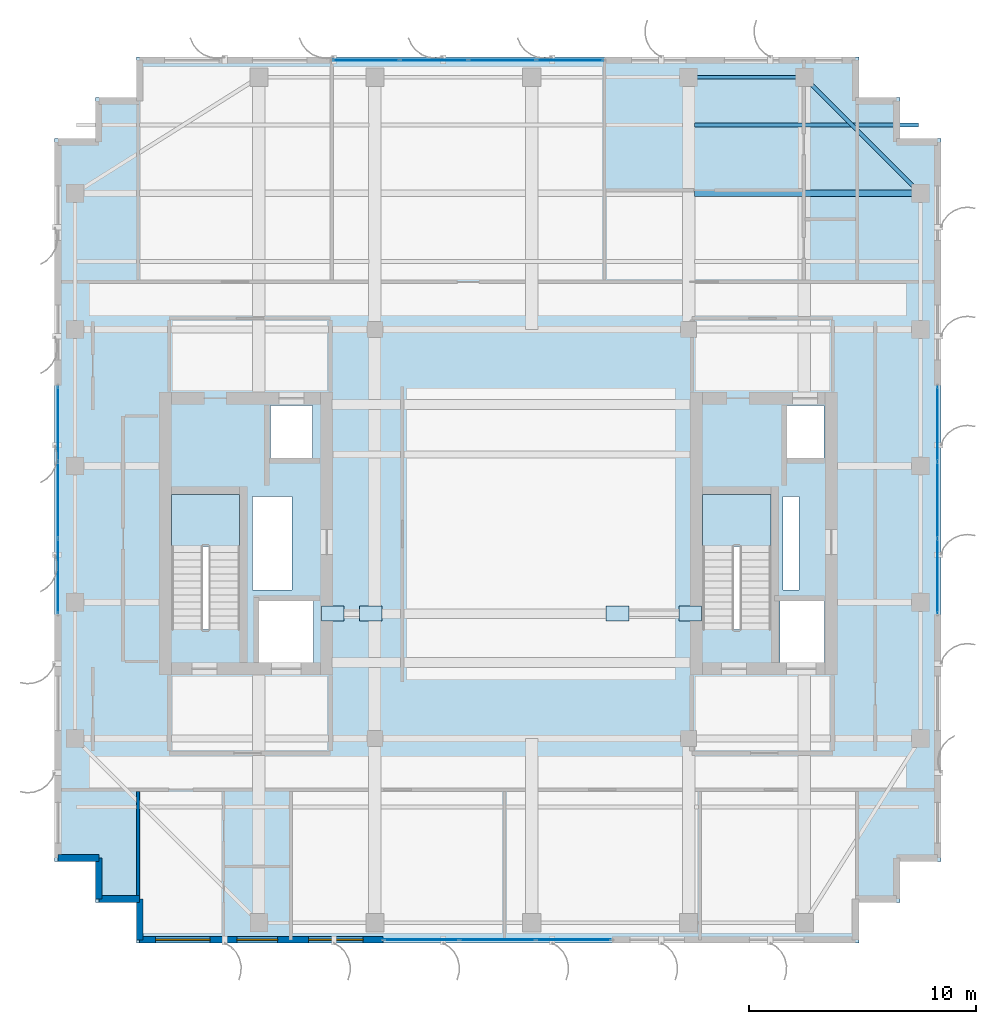
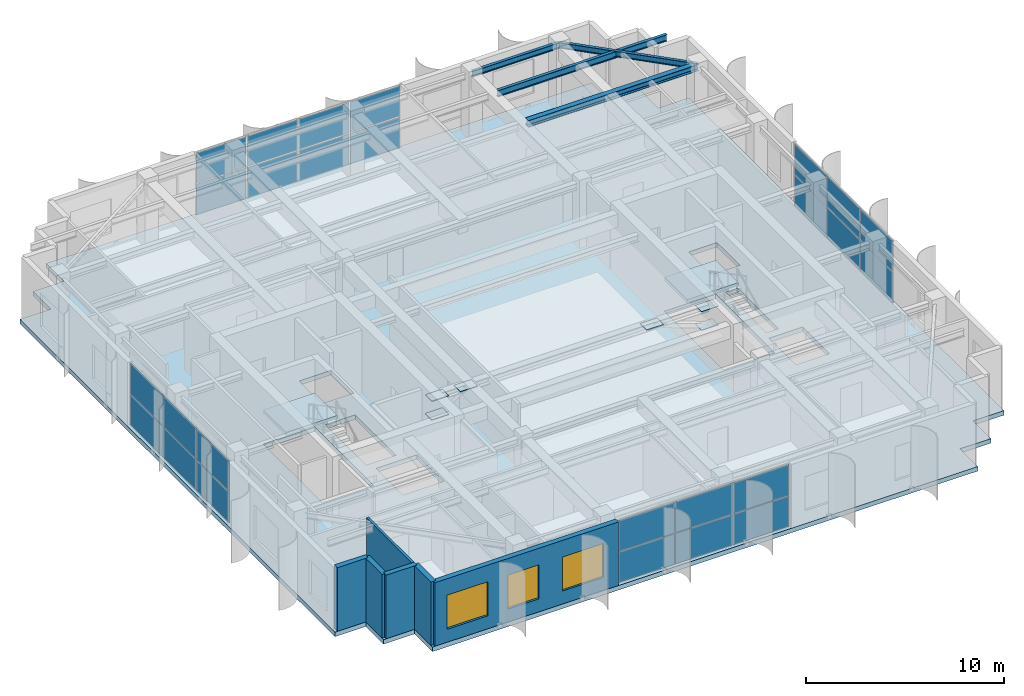
# One storey, part 19 of 26: 32 plates, 6 walls, 4 beams, 3 slabs, 3 windows, 3 openings, 6 elements without a shape of their own.
"""IFC4 building model written with IfcOpenShell, lengths in metres."""

from ifc_helpers import new_model, si_unit, direction, frame, frame_2d, origin, origin_2d, place, context, subcontext, project, spatial, polyline, rectangle, i_section, outline, extrude, source, transform, mapped, material, layer, layer_set, material_profile, profile_set, type_object, element, fill, aggregate, save


model = new_model("IFC4")

# Units and contexts
model_context = context("Model", 3, precision=1e-05, world=origin(), true_north=direction((0.0, 1.0)))
body_context = subcontext(model_context, "Body", "Model", "MODEL_VIEW")
ifc_project = project(units=[si_unit("LENGTHUNIT", "METRE"), si_unit("AREAUNIT", "SQUARE_METRE"), si_unit("VOLUMEUNIT", "CUBIC_METRE"), si_unit("PLANEANGLEUNIT", "RADIAN"), si_unit("MASSUNIT", "GRAM", prefix="KILO")], contexts=[model_context])

# Site, building, storey
site_placement = place(None, origin())
site = spatial("IfcSite", under=ifc_project, at=site_placement, CompositionType="ELEMENT")
building_placement = place(site_placement, origin())
building = spatial("IfcBuilding", under=site, at=building_placement, Name="Khoralis Quay Care Tower", CompositionType="ELEMENT")
storey_placement = place(building_placement, frame((0.0, 0.0, 289.5)))
storey = spatial("IfcBuildingStorey", under=building, at=storey_placement, Name="L76", CompositionType="ELEMENT", Elevation=289.5)

# Beams
ifc_material_1 = material(Name="Steel S355", Category="steel")
ifc_material_profile_1 = material_profile(ifc_material_1, i_section(OverallWidth=0.169921875, OverallDepth=0.360107421875, WebThickness=0.008056640625, FlangeThickness=0.0126953125, FilletRadius=0.01806640625, at=origin_2d()), Name="Steel S355")
ifc_profile_set_1 = profile_set([ifc_material_profile_1], Name="Steel S355")
beam_type_1 = type_object("IfcBeamType", Name="BM-IPE360", PredefinedType="SPANDREL", material=ifc_profile_set_1)
shared_shape_1 = source(origin(), body_context, "Body", "SweptSolid", [
    extrude(i_section(OverallWidth=0.169921875, OverallDepth=0.360107421875, WebThickness=0.008056640625, FlangeThickness=0.0126953125, FilletRadius=0.01806640625, at=origin_2d()), origin(), (0.0, 0.0, 1.0), 5.10009765625),
])
beam_1_placement = place(storey_placement, frame((30.89990234375, 41.10009765625, 3.739990234375), z_axis=(1.0, 0.0, 0.0), x_axis=(0.0, 1.0, 0.0)))
element("IfcBeam", 1, at=beam_1_placement, inside=storey, type_object=beam_type_1, Name="BM-TSP-L76-08", PredefinedType="SPANDREL", context=body_context, shape_type="MappedRepresentation", body=[
    mapped(shared_shape_1, transform((0.0, 0.0, 0.0), scale=1.0)),
])
shared_shape_2 = source(origin(), body_context, "Body", "SweptSolid", [
    extrude(i_section(OverallWidth=0.169921875, OverallDepth=0.360107421875, WebThickness=0.008056640625, FlangeThickness=0.0126953125, FilletRadius=0.01806640625, at=origin_2d()), origin(), (0.0, 0.0, 1.0), 7.212646484375),
])
beam_2_placement = place(storey_placement, frame((36.0, 41.10009765625, 3.739990234375), z_axis=(0.707106781187, -0.707106781187, 0.0), x_axis=(0.707106781187, 0.707106781187, 0.0)))
element("IfcBeam", 2, at=beam_2_placement, inside=storey, type_object=beam_type_1, Name="BM-TCR-L76-20", PredefinedType="SPANDREL", context=body_context, shape_type="MappedRepresentation", body=[
    mapped(shared_shape_2, transform((0.0, 0.0, 0.0), scale=1.0)),
])
ifc_material_profile_2 = material_profile(ifc_material_1, i_section(OverallWidth=0.300048828125, OverallDepth=0.39990234375, WebThickness=0.013427734375, FlangeThickness=0.02392578125, FilletRadius=0.027099609375, at=origin_2d()), Name="Steel S355")
ifc_profile_set_2 = profile_set([ifc_material_profile_2], Name="Steel S355")
beam_type_2 = type_object("IfcBeamType", Name="BM-HEB400", PredefinedType="BEAM", material=ifc_profile_set_2)
shared_shape_3 = source(origin(), body_context, "Body", "SweptSolid", [
    extrude(i_section(OverallWidth=0.300048828125, OverallDepth=0.39990234375, WebThickness=0.013427734375, FlangeThickness=0.02392578125, FilletRadius=0.027099609375, at=origin_2d()), origin(), (0.0, 0.0, 1.0), 9.93701171875),
])
beam_3_placement = place(storey_placement, frame((31.1630859375, 36.0, 3.719970703125), z_axis=(1.0, 0.0, 0.0), x_axis=(0.0, 1.0, 0.0)))
element("IfcBeam", 3, at=beam_3_placement, inside=storey, type_object=beam_type_2, Name="BM-TGXE-L76-360", PredefinedType="BEAM", context=body_context, shape_type="MappedRepresentation", body=[
    mapped(shared_shape_3, transform((0.0, 0.0, 0.0), scale=1.0)),
])
ifc_material_profile_3 = material_profile(ifc_material_1, i_section(OverallWidth=0.177978515625, OverallDepth=0.406982421875, WebThickness=0.0078125, FlangeThickness=0.0126953125, FilletRadius=0.012939453125, at=origin_2d()), Name="Steel S355")
ifc_profile_set_3 = profile_set([ifc_material_profile_3], Name="Steel S355")
beam_type_3 = type_object("IfcBeamType", Name="BM-W410X60", PredefinedType="JOIST", material=ifc_profile_set_3)
shared_shape_4 = source(origin(), body_context, "Body", "SweptSolid", [
    extrude(i_section(OverallWidth=0.177978515625, OverallDepth=0.406982421875, WebThickness=0.0078125, FlangeThickness=0.0126953125, FilletRadius=0.012939453125, at=origin_2d()), origin(), (0.0, 0.0, 1.0), 9.865966796875),
])
beam_4_placement = place(storey_placement, frame((31.1630859375, 39.0, 3.716552734375), z_axis=(1.0, 0.0, 0.0), x_axis=(0.0, 1.0, 0.0)))
element("IfcBeam", 4, at=beam_4_placement, inside=storey, type_object=beam_type_3, Name="BM-TJS-L76-28", PredefinedType="JOIST", context=body_context, shape_type="MappedRepresentation", body=[
    mapped(shared_shape_4, transform((0.0, 0.0, 0.0), scale=1.0)),
])

# Stair, slab
ifc_material_2 = material(Name="Precast concrete C45/55", Category="concrete")
stair_type = type_object("IfcStairType", Name="ST-TWR-DOGLEG-1400", PredefinedType="HALF_TURN_STAIR", material=ifc_material_2)
stair_1_placement = place(storey_placement, origin())
stair_1 = element("IfcStair", 5, at=stair_1_placement, inside=storey, type_object=stair_type, Name="L76 West Core Exit Stair ST-T1", PredefinedType="HALF_TURN_STAIR")
ifc_layer_1 = layer(ifc_material_2, 0.199951171875)
ifc_layer_set_1 = layer_set([ifc_layer_1], Name="Precast concrete C45/55")
slab_type_1 = type_object("IfcSlabType", Name="SLB-LANDING-200", PredefinedType="LANDING", material=ifc_layer_set_1)
slab_1_placement = place(storey_placement, frame((0.0, 0.0, 1.89990234375)))
slab_1 = element("IfcSlab", 6, at=slab_1_placement, type_object=slab_type_1, Name="ST-T1 landing 1", PredefinedType="LANDING", context=body_context, shape_type="SweptSolid", body=[
    extrude(outline(polyline([(11.14990234375, 20.4599609375), (11.14990234375, 22.75), (8.14990234375, 22.75), (8.14990234375, 20.4599609375), (11.14990234375, 20.4599609375)])), origin(), (0.0, 0.0, 1.0), 0.2001953125),
])
aggregate(stair_1, [slab_1])

stair_2_placement = place(storey_placement, origin())
stair_2 = element("IfcStair", 7, at=stair_2_placement, inside=storey, type_object=stair_type, Name="L76 East Core Exit Stair ST-T2", PredefinedType="HALF_TURN_STAIR")
slab_2_placement = place(storey_placement, frame((0.0, 0.0, 1.89990234375)))
slab_2 = element("IfcSlab", 8, at=slab_2_placement, type_object=slab_type_1, Name="ST-T2 landing 1", PredefinedType="LANDING", context=body_context, shape_type="SweptSolid", body=[
    extrude(outline(polyline([(34.52001953125, 20.4599609375), (34.52001953125, 22.75), (31.52001953125, 22.75), (31.52001953125, 20.4599609375), (34.52001953125, 20.4599609375)])), origin(), (0.0, 0.0, 1.0), 0.2001953125),
])
aggregate(stair_2, [slab_2])

# Slab
ifc_material_3 = material(Name="Concrete C40/50", Category="concrete")
ifc_layer_2 = layer(ifc_material_3, 0.280029296875)
ifc_layer_set_2 = layer_set([ifc_layer_2], Name="Concrete C40/50")
slab_type_2 = type_object("IfcSlabType", Name="SLB-TWR-280", PredefinedType="FLOOR", material=ifc_layer_set_2)
slab_3_placement = place(storey_placement, frame((0.0, 0.0, -0.280029296875)))
element("IfcSlab", 9, at=slab_3_placement, inside=storey, type_object=slab_type_2, Name="Tower Floor Slab L76", PredefinedType="FLOOR", context=body_context, shape_type="SweptSolid", body=[
    extrude(outline(polyline([(6.60009765625, 3.0), (38.39990234375, 3.0), (38.39990234375, 4.800048828125), (40.199951171875, 4.800048828125), (40.199951171875, 6.60009765625), (42.0, 6.60009765625), (42.0, 38.39990234375), (40.199951171875, 38.39990234375), (40.199951171875, 40.199951171875), (38.39990234375, 40.199951171875), (38.39990234375, 42.0), (6.60009765625, 42.0), (6.60009765625, 40.199951171875), (4.800048828125, 40.199951171875), (4.800048828125, 38.39990234375), (3.0, 38.39990234375), (3.0, 6.60009765625), (4.800048828125, 6.60009765625), (4.800048828125, 4.800048828125), (6.60009765625, 4.800048828125), (6.60009765625, 3.0)]), holes=[polyline([(11.14990234375, 16.800048828125), (11.14990234375, 22.75), (8.14990234375, 22.75), (8.14990234375, 16.800048828125), (11.14990234375, 16.800048828125)]), polyline([(34.52001953125, 16.800048828125), (34.52001953125, 22.75), (31.52001953125, 22.75), (31.52001953125, 16.800048828125), (34.52001953125, 16.800048828125)]), polyline([(12.0, 15.35009765625), (14.39990234375, 15.35009765625), (14.39990234375, 18.050048828125), (12.0, 18.050048828125), (12.0, 15.35009765625)]), polyline([(34.919921875, 15.35009765625), (36.8798828125, 15.35009765625), (36.8798828125, 18.050048828125), (34.919921875, 18.050048828125), (34.919921875, 15.35009765625)]), polyline([(12.5, 24.35009765625), (14.35009765625, 24.35009765625), (14.35009765625, 26.64990234375), (12.5, 26.64990234375), (12.5, 24.35009765625)]), polyline([(35.199951171875, 24.35009765625), (36.85009765625, 24.35009765625), (36.85009765625, 26.64990234375), (35.199951171875, 26.64990234375), (35.199951171875, 24.35009765625)]), polyline([(11.719970703125, 18.550048828125), (13.449951171875, 18.550048828125), (13.449951171875, 22.64990234375), (11.719970703125, 22.64990234375), (11.719970703125, 18.550048828125)]), polyline([(35.050048828125, 18.550048828125), (35.75, 18.550048828125), (35.75, 22.64990234375), (35.050048828125, 22.64990234375), (35.050048828125, 18.550048828125)])]), origin(), (0.0, 0.0, 1.0), 0.280029296875),
])

# Plates
ifc_material_4 = material(Name="Steel S460", Category="steel")
ifc_layer_3 = layer(ifc_material_4, 0.031982421875)
ifc_layer_set_3 = layer_set([ifc_layer_3], Name="Steel S460")
plate_type_1 = type_object("IfcPlateType", Name="PLT-NODE-VPN1", PredefinedType="USERDEFINED", material=ifc_layer_set_3)
shared_shape_5 = source(origin(), body_context, "Body", "SweptSolid", [
    extrude(rectangle(XDim=1.0, YDim=0.64990234375, at=origin_2d()), origin(), (0.0, 0.0, 1.0), 0.031982421875),
])
for number, where, z_axis, x_axis, name in (
    (10, (15.248046875, 17.5, 2.5341796875), (0.0, 0.0, 1.0), (1.0, 0.0, 0.0), "PLT-SP76-N1"),
    (11, (15.248046875, 17.5, 3.68408203125), (0.0, 0.0, 1.0), (1.0, 0.0, 0.0), "PLT-SP76-N2"),
    (12, (16.919921875, 17.5, 3.68408203125), (0.0, 0.0, 1.0), (1.0, 0.0, 0.0), "PLT-SP76-N3"),
    (13, (27.77197265625, 17.5, 3.68408203125), (0.0, 0.0, 1.0), (1.0, 0.0, 0.0), "PLT-SP76-N4"),
    (14, (30.971923828125, 17.5, 2.5341796875), (0.0, 0.0, 1.0), (1.0, 0.0, 0.0), "PLT-SP76-N5"),
    (15, (30.971923828125, 17.5, 3.68408203125), (0.0, 0.0, 1.0), (1.0, 0.0, 0.0), "PLT-SP76-N6"),
):
    element("IfcPlate", number, at=place(storey_placement, frame(where, z_axis=z_axis, x_axis=x_axis)), inside=storey, type_object=plate_type_1, Name=name, ObjectType="GUSSET_PLATE", PredefinedType="USERDEFINED", context=body_context, shape_type="MappedRepresentation", body=[
        mapped(shared_shape_5, transform((0.0, 0.0, 0.0), scale=1.0)),
    ])

# Curtain wall, plates
ifc_material_5 = material(Name="Pale anodised aluminium", Category="aluminium")
ifc_layer_4 = layer(ifc_material_5, 0.159912109375)
ifc_layer_set_4 = layer_set([ifc_layer_4], Name="Pale anodised aluminium")
curtain_wall_type = type_object("IfcCurtainWallType", Name="CW-SYS-Z3", PredefinedType="NOTDEFINED", material=ifc_layer_set_4)
curtain_wall_1_placement = place(storey_placement, origin())
curtain_wall_1 = element("IfcCurtainWall", 16, at=curtain_wall_1_placement, inside=storey, type_object=curtain_wall_type, Name="L76 Unitised Curtain Wall CW-L76-P1-E0", PredefinedType="NOTDEFINED")
ifc_material_6 = material(Name="Low-E solar-control double glazing", Category="glass")
ifc_layer_5 = layer(ifc_material_6, 0.031982421875)
ifc_layer_set_5 = layer_set([ifc_layer_5], Name="Low-E solar-control double glazing")
plate_type_2 = type_object("IfcPlateType", Name="PNL-VIS-32", PredefinedType="CURTAIN_PANEL", material=ifc_layer_set_5)
shared_shape_6 = source(origin(), body_context, "Body", "SweptSolid", [
    extrude(rectangle(XDim=3.27001953125, YDim=0.028076171875, at=origin_2d()), origin(), (0.0, 0.0, 1.0), 1.8701171875),
])
plate_1_placement = place(storey_placement, frame((19.155029296875, 3.14990234375, 0.06005859375), z_axis=(0.0, 0.0, 1.0), x_axis=(1.0, 0.0, 0.0)))
plate_1 = element("IfcPlate", 17, at=plate_1_placement, type_object=plate_type_2, Name="CW3 panel 1.1", PredefinedType="CURTAIN_PANEL", context=body_context, shape_type="MappedRepresentation", body=[
    mapped(shared_shape_6, transform((0.0, 0.0, 0.0), scale=1.0)),
])
plate_2_placement = place(storey_placement, frame((19.155029296875, 3.14990234375, 1.989990234375), z_axis=(0.0, 0.0, 1.0), x_axis=(1.0, 0.0, 0.0)))
plate_2 = element("IfcPlate", 18, at=plate_2_placement, type_object=plate_type_2, Name="CW3 panel 1.2", PredefinedType="CURTAIN_PANEL", context=body_context, shape_type="MappedRepresentation", body=[
    mapped(shared_shape_6, transform((0.0, 0.0, 0.0), scale=1.0)),
])
plate_3_placement = place(storey_placement, frame((25.844970703125, 3.14990234375, 0.06005859375), z_axis=(0.0, 0.0, 1.0), x_axis=(1.0, 0.0, 0.0)))
plate_3 = element("IfcPlate", 19, at=plate_3_placement, type_object=plate_type_2, Name="CW3 panel 3.1", PredefinedType="CURTAIN_PANEL", context=body_context, shape_type="MappedRepresentation", body=[
    mapped(shared_shape_6, transform((0.0, 0.0, 0.0), scale=1.0)),
])
plate_4_placement = place(storey_placement, frame((25.844970703125, 3.14990234375, 1.989990234375), z_axis=(0.0, 0.0, 1.0), x_axis=(1.0, 0.0, 0.0)))
plate_4 = element("IfcPlate", 20, at=plate_4_placement, type_object=plate_type_2, Name="CW3 panel 3.2", PredefinedType="CURTAIN_PANEL", context=body_context, shape_type="MappedRepresentation", body=[
    mapped(shared_shape_6, transform((0.0, 0.0, 0.0), scale=1.0)),
])

curtain_wall_2_placement = place(storey_placement, origin())
curtain_wall_2 = element("IfcCurtainWall", 21, at=curtain_wall_2_placement, inside=storey, type_object=curtain_wall_type, Name="L76 Unitised Curtain Wall CW-L76-P1-E5", PredefinedType="NOTDEFINED")
plate_5_placement = place(storey_placement, frame((41.85009765625, 19.155029296875, 0.06005859375), z_axis=(0.0, 0.0, 1.0), x_axis=(0.0, 1.0, 0.0)))
plate_5 = element("IfcPlate", 22, at=plate_5_placement, type_object=plate_type_2, Name="CW3 panel 1.1", PredefinedType="CURTAIN_PANEL", context=body_context, shape_type="MappedRepresentation", body=[
    mapped(shared_shape_6, transform((0.0, 0.0, 0.0), scale=1.0)),
])
plate_6_placement = place(storey_placement, frame((41.85009765625, 19.155029296875, 1.989990234375), z_axis=(0.0, 0.0, 1.0), x_axis=(0.0, 1.0, 0.0)))
plate_6 = element("IfcPlate", 23, at=plate_6_placement, type_object=plate_type_2, Name="CW3 panel 1.2", PredefinedType="CURTAIN_PANEL", context=body_context, shape_type="MappedRepresentation", body=[
    mapped(shared_shape_6, transform((0.0, 0.0, 0.0), scale=1.0)),
])
plate_7_placement = place(storey_placement, frame((41.85009765625, 25.844970703125, 0.06005859375), z_axis=(0.0, 0.0, 1.0), x_axis=(0.0, 1.0, 0.0)))
plate_7 = element("IfcPlate", 24, at=plate_7_placement, type_object=plate_type_2, Name="CW3 panel 3.1", PredefinedType="CURTAIN_PANEL", context=body_context, shape_type="MappedRepresentation", body=[
    mapped(shared_shape_6, transform((0.0, 0.0, 0.0), scale=1.0)),
])
plate_8_placement = place(storey_placement, frame((41.85009765625, 25.844970703125, 1.989990234375), z_axis=(0.0, 0.0, 1.0), x_axis=(0.0, 1.0, 0.0)))
plate_8 = element("IfcPlate", 25, at=plate_8_placement, type_object=plate_type_2, Name="CW3 panel 3.2", PredefinedType="CURTAIN_PANEL", context=body_context, shape_type="MappedRepresentation", body=[
    mapped(shared_shape_6, transform((0.0, 0.0, 0.0), scale=1.0)),
])

curtain_wall_3_placement = place(storey_placement, origin())
curtain_wall_3 = element("IfcCurtainWall", 26, at=curtain_wall_3_placement, inside=storey, type_object=curtain_wall_type, Name="L76 Unitised Curtain Wall CW-L76-P1-E15", PredefinedType="NOTDEFINED")
plate_9_placement = place(storey_placement, frame((3.14990234375, 25.844970703125, 0.06005859375), z_axis=(0.0, 0.0, 1.0), x_axis=(0.0, -1.0, 0.0)))
plate_9 = element("IfcPlate", 27, at=plate_9_placement, type_object=plate_type_2, Name="CW3 panel 1.1", PredefinedType="CURTAIN_PANEL", context=body_context, shape_type="MappedRepresentation", body=[
    mapped(shared_shape_6, transform((0.0, 0.0, 0.0), scale=1.0)),
])
plate_10_placement = place(storey_placement, frame((3.14990234375, 25.844970703125, 1.989990234375), z_axis=(0.0, 0.0, 1.0), x_axis=(0.0, -1.0, 0.0)))
plate_10 = element("IfcPlate", 28, at=plate_10_placement, type_object=plate_type_2, Name="CW3 panel 1.2", PredefinedType="CURTAIN_PANEL", context=body_context, shape_type="MappedRepresentation", body=[
    mapped(shared_shape_6, transform((0.0, 0.0, 0.0), scale=1.0)),
])
plate_11_placement = place(storey_placement, frame((3.14990234375, 19.155029296875, 0.06005859375), z_axis=(0.0, 0.0, 1.0), x_axis=(0.0, -1.0, 0.0)))
plate_11 = element("IfcPlate", 29, at=plate_11_placement, type_object=plate_type_2, Name="CW3 panel 3.1", PredefinedType="CURTAIN_PANEL", context=body_context, shape_type="MappedRepresentation", body=[
    mapped(shared_shape_6, transform((0.0, 0.0, 0.0), scale=1.0)),
])
plate_12_placement = place(storey_placement, frame((3.14990234375, 19.155029296875, 1.989990234375), z_axis=(0.0, 0.0, 1.0), x_axis=(0.0, -1.0, 0.0)))
plate_12 = element("IfcPlate", 30, at=plate_12_placement, type_object=plate_type_2, Name="CW3 panel 3.2", PredefinedType="CURTAIN_PANEL", context=body_context, shape_type="MappedRepresentation", body=[
    mapped(shared_shape_6, transform((0.0, 0.0, 0.0), scale=1.0)),
])

# Plate
shared_shape_7 = source(origin(), body_context, "Body", "SweptSolid", [
    extrude(rectangle(XDim=3.300048828125, YDim=0.028076171875, at=origin_2d()), origin(), (0.0, 0.0, 1.0), 1.8701171875),
])
plate_13_placement = place(storey_placement, frame((22.5, 3.14990234375, 0.06005859375), z_axis=(0.0, 0.0, 1.0), x_axis=(1.0, 0.0, 0.0)))
plate_13 = element("IfcPlate", 31, at=plate_13_placement, type_object=plate_type_2, Name="CW3 panel 2.1", PredefinedType="CURTAIN_PANEL", context=body_context, shape_type="MappedRepresentation", body=[
    mapped(shared_shape_7, transform((0.0, 0.0, 0.0), scale=1.0)),
])

plate_14_placement = place(storey_placement, frame((22.5, 3.14990234375, 1.989990234375), z_axis=(0.0, 0.0, 1.0), x_axis=(1.0, 0.0, 0.0)))
plate_14 = element("IfcPlate", 32, at=plate_14_placement, type_object=plate_type_2, Name="CW3 panel 2.2", PredefinedType="CURTAIN_PANEL", context=body_context, shape_type="MappedRepresentation", body=[
    mapped(shared_shape_7, transform((0.0, 0.0, 0.0), scale=1.0)),
])

aggregate(curtain_wall_1, [plate_1, plate_2, plate_13, plate_14, plate_3, plate_4])

plate_15_placement = place(storey_placement, frame((41.85009765625, 22.5, 0.06005859375), z_axis=(0.0, 0.0, 1.0), x_axis=(0.0, 1.0, 0.0)))
plate_15 = element("IfcPlate", 33, at=plate_15_placement, type_object=plate_type_2, Name="CW3 panel 2.1", PredefinedType="CURTAIN_PANEL", context=body_context, shape_type="MappedRepresentation", body=[
    mapped(shared_shape_7, transform((0.0, 0.0, 0.0), scale=1.0)),
])

plate_16_placement = place(storey_placement, frame((41.85009765625, 22.5, 1.989990234375), z_axis=(0.0, 0.0, 1.0), x_axis=(0.0, 1.0, 0.0)))
plate_16 = element("IfcPlate", 34, at=plate_16_placement, type_object=plate_type_2, Name="CW3 panel 2.2", PredefinedType="CURTAIN_PANEL", context=body_context, shape_type="MappedRepresentation", body=[
    mapped(shared_shape_7, transform((0.0, 0.0, 0.0), scale=1.0)),
])

aggregate(curtain_wall_2, [plate_5, plate_6, plate_15, plate_16, plate_7, plate_8])

plate_17_placement = place(storey_placement, frame((3.14990234375, 22.5, 0.06005859375), z_axis=(0.0, 0.0, 1.0), x_axis=(0.0, -1.0, 0.0)))
plate_17 = element("IfcPlate", 35, at=plate_17_placement, type_object=plate_type_2, Name="CW3 panel 2.1", PredefinedType="CURTAIN_PANEL", context=body_context, shape_type="MappedRepresentation", body=[
    mapped(shared_shape_7, transform((0.0, 0.0, 0.0), scale=1.0)),
])

plate_18_placement = place(storey_placement, frame((3.14990234375, 22.5, 1.989990234375), z_axis=(0.0, 0.0, 1.0), x_axis=(0.0, -1.0, 0.0)))
plate_18 = element("IfcPlate", 36, at=plate_18_placement, type_object=plate_type_2, Name="CW3 panel 2.2", PredefinedType="CURTAIN_PANEL", context=body_context, shape_type="MappedRepresentation", body=[
    mapped(shared_shape_7, transform((0.0, 0.0, 0.0), scale=1.0)),
])

aggregate(curtain_wall_3, [plate_9, plate_10, plate_17, plate_18, plate_11, plate_12])

# Curtain wall, plates
curtain_wall_4_placement = place(storey_placement, origin())
curtain_wall_4 = element("IfcCurtainWall", 37, at=curtain_wall_4_placement, inside=storey, type_object=curtain_wall_type, Name="L76 Unitised Curtain Wall CW-L76-P1-E10", PredefinedType="NOTDEFINED")
shared_shape_8 = source(origin(), body_context, "Body", "SweptSolid", [
    extrude(rectangle(XDim=2.909912109375, YDim=0.028076171875, at=origin_2d()), origin(), (0.0, 0.0, 1.0), 1.8701171875),
])
plate_19_placement = place(storey_placement, frame((25.68505859375, 41.85009765625, 0.06005859375), z_axis=(0.0, 0.0, 1.0), x_axis=(-1.0, 0.0, 0.0)))
plate_19 = element("IfcPlate", 38, at=plate_19_placement, type_object=plate_type_2, Name="CW3 panel 1.1", PredefinedType="CURTAIN_PANEL", context=body_context, shape_type="MappedRepresentation", body=[
    mapped(shared_shape_8, transform((0.0, 0.0, 0.0), scale=1.0)),
])
plate_20_placement = place(storey_placement, frame((25.68505859375, 41.85009765625, 1.989990234375), z_axis=(0.0, 0.0, 1.0), x_axis=(-1.0, 0.0, 0.0)))
plate_20 = element("IfcPlate", 39, at=plate_20_placement, type_object=plate_type_2, Name="CW3 panel 1.2", PredefinedType="CURTAIN_PANEL", context=body_context, shape_type="MappedRepresentation", body=[
    mapped(shared_shape_8, transform((0.0, 0.0, 0.0), scale=1.0)),
])
plate_21_placement = place(storey_placement, frame((16.715087890625, 41.85009765625, 0.06005859375), z_axis=(0.0, 0.0, 1.0), x_axis=(-1.0, 0.0, 0.0)))
plate_21 = element("IfcPlate", 40, at=plate_21_placement, type_object=plate_type_2, Name="CW3 panel 4.1", PredefinedType="CURTAIN_PANEL", context=body_context, shape_type="MappedRepresentation", body=[
    mapped(shared_shape_8, transform((0.0, 0.0, 0.0), scale=1.0)),
])
plate_22_placement = place(storey_placement, frame((16.715087890625, 41.85009765625, 1.989990234375), z_axis=(0.0, 0.0, 1.0), x_axis=(-1.0, 0.0, 0.0)))
plate_22 = element("IfcPlate", 41, at=plate_22_placement, type_object=plate_type_2, Name="CW3 panel 4.2", PredefinedType="CURTAIN_PANEL", context=body_context, shape_type="MappedRepresentation", body=[
    mapped(shared_shape_8, transform((0.0, 0.0, 0.0), scale=1.0)),
])
shared_shape_9 = source(origin(), body_context, "Body", "SweptSolid", [
    extrude(rectangle(XDim=2.93994140625, YDim=0.028076171875, at=origin_2d()), origin(), (0.0, 0.0, 1.0), 1.8701171875),
])
plate_23_placement = place(storey_placement, frame((22.699951171875, 41.85009765625, 0.06005859375), z_axis=(0.0, 0.0, 1.0), x_axis=(-1.0, 0.0, 0.0)))
plate_23 = element("IfcPlate", 42, at=plate_23_placement, type_object=plate_type_2, Name="CW3 panel 2.1", PredefinedType="CURTAIN_PANEL", context=body_context, shape_type="MappedRepresentation", body=[
    mapped(shared_shape_9, transform((0.0, 0.0, 0.0), scale=1.0)),
])
plate_24_placement = place(storey_placement, frame((22.699951171875, 41.85009765625, 1.989990234375), z_axis=(0.0, 0.0, 1.0), x_axis=(-1.0, 0.0, 0.0)))
plate_24 = element("IfcPlate", 43, at=plate_24_placement, type_object=plate_type_2, Name="CW3 panel 2.2", PredefinedType="CURTAIN_PANEL", context=body_context, shape_type="MappedRepresentation", body=[
    mapped(shared_shape_9, transform((0.0, 0.0, 0.0), scale=1.0)),
])
plate_25_placement = place(storey_placement, frame((19.699951171875, 41.85009765625, 0.06005859375), z_axis=(0.0, 0.0, 1.0), x_axis=(-1.0, 0.0, 0.0)))
plate_25 = element("IfcPlate", 44, at=plate_25_placement, type_object=plate_type_2, Name="CW3 panel 3.1", PredefinedType="CURTAIN_PANEL", context=body_context, shape_type="MappedRepresentation", body=[
    mapped(shared_shape_9, transform((0.0, 0.0, 0.0), scale=1.0)),
])
plate_26_placement = place(storey_placement, frame((19.699951171875, 41.85009765625, 1.989990234375), z_axis=(0.0, 0.0, 1.0), x_axis=(-1.0, 0.0, 0.0)))
plate_26 = element("IfcPlate", 45, at=plate_26_placement, type_object=plate_type_2, Name="CW3 panel 3.2", PredefinedType="CURTAIN_PANEL", context=body_context, shape_type="MappedRepresentation", body=[
    mapped(shared_shape_9, transform((0.0, 0.0, 0.0), scale=1.0)),
])
aggregate(curtain_wall_4, [plate_19, plate_20, plate_23, plate_24, plate_25, plate_26, plate_21, plate_22])

# Wall, openings, windows
ifc_layer_6 = layer(ifc_material_2, 0.300048828125)
ifc_layer_set_6 = layer_set([ifc_layer_6], Name="Precast concrete C45/55")
wall_type_1 = type_object("IfcWallType", Name="WL-EXT-REF-300", PredefinedType="SOLIDWALL", material=ifc_layer_set_6)
wall_1_placement = place(storey_placement, frame((6.75, 3.14990234375, 0.0), z_axis=(0.0, 0.0, 1.0), x_axis=(1.0, 0.0, 0.0)))
wall_1 = element("IfcWall", 46, at=wall_1_placement, inside=storey, type_object=wall_type_1, Name="L76 External Facade Wall WL-EXT-L76-P1-E0A", PredefinedType="SOLIDWALL", context=body_context, shape_type="SweptSolid", body=[
    extrude(rectangle(XDim=10.7099609375, YDim=0.300048828125, at=frame_2d((5.35498046875, 0.0))), origin(), (0.0, 0.0, 1.0), 3.919921875),
])
opening_1_placement = place(wall_1_placement, frame((0.696533203125, 0.0, 0.800048828125)))
opening_1 = element("IfcOpeningElement", 47, at=opening_1_placement, cuts=wall_1, Name="Opening W1", PredefinedType="OPENING", context=body_context, shape_type="SweptSolid", body=[
    extrude(rectangle(XDim=2.39990234375, YDim=2.10009765625, at=frame_2d((1.199951171875, 1.050048828125))), frame((0.0, 0.16015625, 0.0), z_axis=(0.0, -1.0, 0.0), x_axis=(1.0, 0.0, 0.0)), (0.0, 0.0, 1.0), 0.320068359375),
])
opening_2_placement = place(wall_1_placement, frame((4.271484375, 0.0, 0.800048828125)))
opening_2 = element("IfcOpeningElement", 48, at=opening_2_placement, cuts=wall_1, Name="Opening W2", PredefinedType="OPENING", context=body_context, shape_type="SweptSolid", body=[
    extrude(rectangle(XDim=1.800048828125, YDim=2.10009765625, at=frame_2d((0.89990234375, 1.050048828125))), frame((0.0, 0.16015625, 0.0), z_axis=(0.0, -1.0, 0.0), x_axis=(1.0, 0.0, 0.0)), (0.0, 0.0, 1.0), 0.320068359375),
])
opening_3_placement = place(wall_1_placement, frame((7.429931640625, 0.0, 0.800048828125)))
opening_3 = element("IfcOpeningElement", 49, at=opening_3_placement, cuts=wall_1, Name="Opening W1", PredefinedType="OPENING", context=body_context, shape_type="SweptSolid", body=[
    extrude(rectangle(XDim=2.39990234375, YDim=2.10009765625, at=frame_2d((1.199951171875, 1.050048828125))), frame((0.0, 0.16015625, 0.0), z_axis=(0.0, -1.0, 0.0), x_axis=(1.0, 0.0, 0.0)), (0.0, 0.0, 1.0), 0.320068359375),
])
window_type_1 = type_object("IfcWindowType", Name="WN-POD-2400X2100", PartitioningType="SINGLE_PANEL", PredefinedType="WINDOW", material=ifc_material_6)
shared_shape_10 = source(origin(), body_context, "Body", "SweptSolid", [
    extrude(rectangle(XDim=2.39990234375, YDim=2.10009765625, at=frame_2d((1.199951171875, 1.050048828125))), frame((0.0, 0.030029296875, 0.0), z_axis=(0.0, -1.0, 0.0), x_axis=(1.0, 0.0, 0.0)), (0.0, 0.0, 1.0), 0.06005859375),
])
window_1_placement = place(opening_1_placement, origin())
window_1 = element("IfcWindow", 50, at=window_1_placement, inside=storey, type_object=window_type_1, Name="WN-L76-P1-E0A Facade Window 01", OverallHeight=2.10009765625, OverallWidth=2.39990234375, PartitioningType="SINGLE_PANEL", PredefinedType="WINDOW", context=body_context, shape_type="MappedRepresentation", body=[
    mapped(shared_shape_10, transform((0.0, 0.0, 0.0), scale=1.0)),
])
fill(opening_1, window_1)
window_2_placement = place(opening_3_placement, origin())
window_2 = element("IfcWindow", 51, at=window_2_placement, inside=storey, type_object=window_type_1, Name="WN-L76-P1-E0A Facade Window 03", OverallHeight=2.10009765625, OverallWidth=2.39990234375, PartitioningType="SINGLE_PANEL", PredefinedType="WINDOW", context=body_context, shape_type="MappedRepresentation", body=[
    mapped(shared_shape_10, transform((0.0, 0.0, 0.0), scale=1.0)),
])
fill(opening_3, window_2)
window_type_2 = type_object("IfcWindowType", Name="WN-POD-1800X2100", PartitioningType="SINGLE_PANEL", PredefinedType="WINDOW", material=ifc_material_6)
shared_shape_11 = source(origin(), body_context, "Body", "SweptSolid", [
    extrude(rectangle(XDim=1.800048828125, YDim=2.10009765625, at=frame_2d((0.89990234375, 1.050048828125))), frame((0.0, 0.030029296875, 0.0), z_axis=(0.0, -1.0, 0.0), x_axis=(1.0, 0.0, 0.0)), (0.0, 0.0, 1.0), 0.06005859375),
])
window_3_placement = place(opening_2_placement, origin())
window_3 = element("IfcWindow", 52, at=window_3_placement, inside=storey, type_object=window_type_2, Name="WN-L76-P1-E0A Facade Window 02", OverallHeight=2.10009765625, OverallWidth=1.800048828125, PartitioningType="SINGLE_PANEL", PredefinedType="WINDOW", context=body_context, shape_type="MappedRepresentation", body=[
    mapped(shared_shape_11, transform((0.0, 0.0, 0.0), scale=1.0)),
])
fill(opening_2, window_3)

# Walls
for number, where, z_axis, x_axis, name in (
    (53, (3.14990234375, 6.75, 0.0), (0.0, 0.0, 1.0), (1.0, 0.0, 0.0), "L76 External Facade Wall WL-EXT-L76-P1-C16"),
    (54, (4.949951171875, 6.75, 0.0), (0.0, 0.0, 1.0), (0.0, -1.0, 0.0), "L76 External Facade Wall WL-EXT-L76-P1-C17"),
    (55, (4.949951171875, 4.949951171875, 0.0), (0.0, 0.0, 1.0), (1.0, 0.0, 0.0), "L76 External Facade Wall WL-EXT-L76-P1-C18"),
    (56, (6.75, 4.949951171875, 0.0), (0.0, 0.0, 1.0), (0.0, -1.0, 0.0), "L76 External Facade Wall WL-EXT-L76-P1-C19"),
):
    element("IfcWall", number, at=place(storey_placement, frame(where, z_axis=z_axis, x_axis=x_axis)), inside=storey, type_object=wall_type_1, Name=name, PredefinedType="SOLIDWALL", context=body_context, shape_type="SweptSolid", body=[
        extrude(rectangle(XDim=1.800048828125, YDim=0.300048828125, at=frame_2d((0.89990234375, 0.0))), origin(), (0.0, 0.0, 1.0), 3.919921875),
    ])
ifc_material_7 = material(Name="Gypsum plasterboard on acoustic metal stud")
ifc_layer_7 = layer(ifc_material_7, 0.139892578125)
ifc_layer_set_7 = layer_set([ifc_layer_7], Name="Gypsum plasterboard on acoustic metal stud")
wall_type_2 = type_object("IfcWallType", Name="WL-UNIT-140", PredefinedType="PARTITIONING", material=ifc_layer_set_7)
wall_2_placement = place(storey_placement, frame((6.679931640625, 4.945068359375, 0.0), z_axis=(0.0, 0.0, 1.0), x_axis=(0.0, 1.0, 0.0)))
element("IfcWall", 57, at=wall_2_placement, inside=storey, type_object=wall_type_2, Name="L76 SB Demising Wall 0", PredefinedType="PARTITIONING", context=body_context, shape_type="SweptSolid", body=[
    extrude(rectangle(XDim=4.7275390625, YDim=0.139892578125, at=frame_2d((2.36376953125, 0.0))), origin(), (0.0, 0.0, 1.0), 3.919921875),
])

save(model, "model.ifc")
